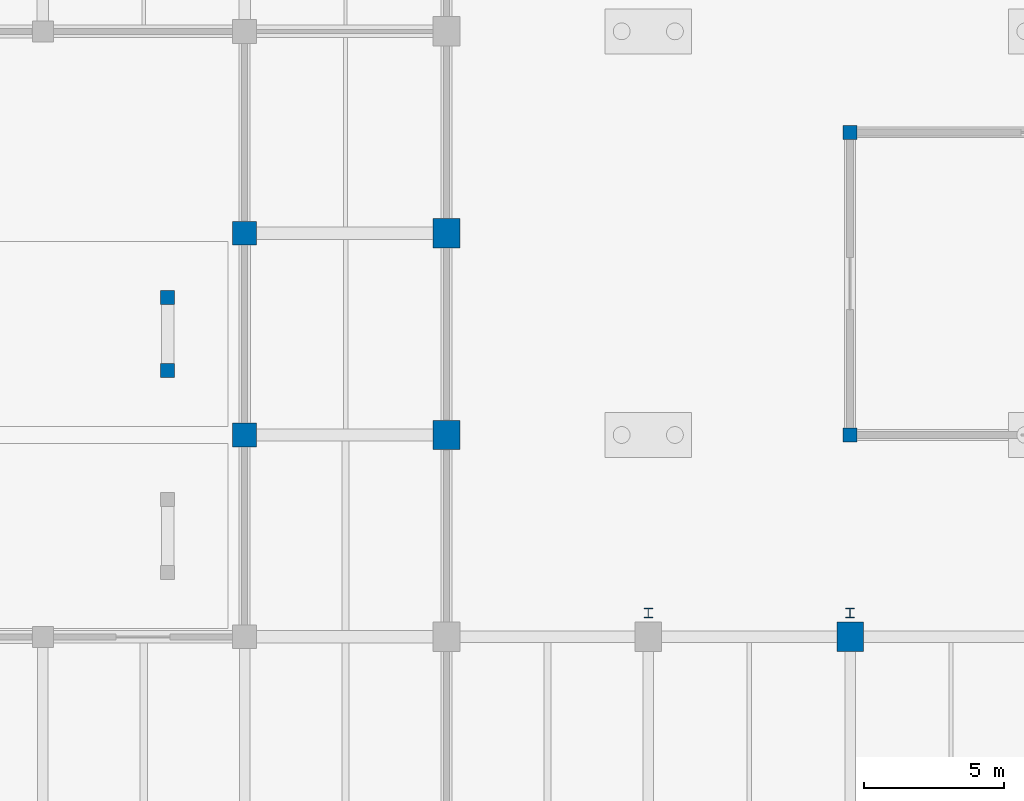
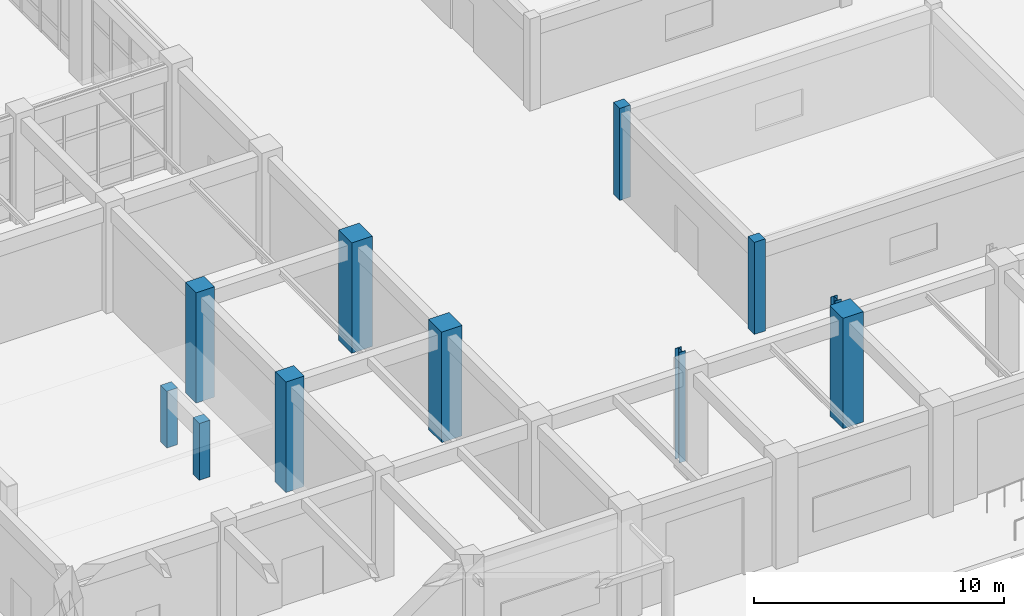
# One storey, part 4 of 160: 11 columns.
"""IFC4 building model written with IfcOpenShell, lengths in metres."""

from ifc_helpers import new_model, si_unit, direction, frame, origin, origin_2d, place, context, subcontext, project, spatial, rectangle, i_section, extrude, material, material_profile, profile_set, type_object, element, save


model = new_model("IFC4")

# Units and contexts
model_context = context("Model", 3, precision=1e-05, world=origin(), true_north=direction((0.0, 1.0)))
body_context = subcontext(model_context, "Body", "Model", "MODEL_VIEW")
ifc_project = project(units=[si_unit("LENGTHUNIT", "METRE"), si_unit("AREAUNIT", "SQUARE_METRE"), si_unit("VOLUMEUNIT", "CUBIC_METRE"), si_unit("PLANEANGLEUNIT", "RADIAN"), si_unit("MASSUNIT", "GRAM", prefix="KILO")], contexts=[model_context])

# Site, building, storey
site_placement = place(None, origin())
site = spatial("IfcSite", under=ifc_project, at=site_placement, CompositionType="ELEMENT")
building_placement = place(site_placement, origin())
building = spatial("IfcBuilding", under=site, at=building_placement, Name="Thalmaran Polytechnic", CompositionType="ELEMENT")
storey_placement = place(building_placement, origin())
storey = spatial("IfcBuildingStorey", under=building, at=storey_placement, Name="L00", CompositionType="ELEMENT", Elevation=0.0)

# Columns
ifc_material_1 = material(Name="Concrete C50/60", Category="concrete")
ifc_material_profile_1 = material_profile(ifc_material_1, rectangle(XDim=0.85009765625, YDim=0.85009765625, at=origin_2d()), Name="RC 850x850")
ifc_profile_set_1 = profile_set([ifc_material_profile_1], Name="Concrete C50/60")
column_type_1 = type_object("IfcColumnType", Name="COL-C02", PredefinedType="COLUMN", material=ifc_profile_set_1)
for number, where, z_axis, x_axis, name in (
    (1, (100.800048828125, 14.39990234375, 0.0), (0.0, 0.0, 1.0), (1.0, 0.0, 0.0), "Column C02 L00 (14,2)"),
    (2, (100.800048828125, 21.60009765625, 0.0), (0.0, 0.0, 1.0), (1.0, 0.0, 0.0), "Column C02 L00 (14,3)"),
):
    element("IfcColumn", number, at=place(storey_placement, frame(where, z_axis=z_axis, x_axis=x_axis)), inside=storey, type_object=column_type_1, Name=name, PredefinedType="COLUMN", context=body_context, shape_type="SweptSolid", body=[
        extrude(rectangle(XDim=0.85009765625, YDim=0.85009765625, at=origin_2d()), origin(), (0.0, 0.0, 1.0), 5.39990234375),
    ])
ifc_material_2 = material(Name="Concrete C40/50", Category="concrete")
ifc_material_profile_2 = material_profile(ifc_material_2, rectangle(XDim=0.5, YDim=0.5, at=origin_2d()), Name="RC 500x500")
ifc_profile_set_2 = profile_set([ifc_material_profile_2], Name="Concrete C40/50")
column_type_2 = type_object("IfcColumnType", Name="COL-C09", PredefinedType="COLUMN", material=ifc_profile_set_2)
for number, where, z_axis, x_axis, name in (
    (3, (98.050048828125, 16.699951171875, 0.0), (0.0, 0.0, 1.0), (1.0, 0.0, 0.0), "Lecture Under-Tier Pier 2-2"),
    (4, (98.050048828125, 19.300048828125, 0.0), (0.0, 0.0, 1.0), (1.0, 0.0, 0.0), "Lecture Under-Tier Pier 2-2"),
):
    element("IfcColumn", number, at=place(storey_placement, frame(where, z_axis=z_axis, x_axis=x_axis)), inside=storey, type_object=column_type_2, Name=name, PredefinedType="COLUMN", context=body_context, shape_type="SweptSolid", body=[
        extrude(rectangle(XDim=0.5, YDim=0.5, at=origin_2d()), origin(), (0.0, 0.0, 1.0), 2.77001953125),
    ])
for number, where, z_axis, x_axis, name in (
    (5, (122.39990234375, 14.39990234375, 0.0), (0.0, 0.0, 1.0), (1.0, 0.0, 0.0), "POD1 Frame Column L00"),
    (6, (122.39990234375, 25.199951171875, 0.0), (0.0, 0.0, 1.0), (1.0, 0.0, 0.0), "POD1 Frame Column L00"),
):
    element("IfcColumn", number, at=place(storey_placement, frame(where, z_axis=z_axis, x_axis=x_axis)), inside=storey, type_object=column_type_2, Name=name, PredefinedType="COLUMN", context=body_context, shape_type="SweptSolid", body=[
        extrude(rectangle(XDim=0.5, YDim=0.5, at=origin_2d()), origin(), (0.0, 0.0, 1.0), 4.5),
    ])
ifc_material_3 = material(Name="Steel S355", Category="steel")
ifc_material_profile_3 = material_profile(ifc_material_3, i_section(OverallWidth=0.300048828125, OverallDepth=0.340087890625, WebThickness=0.011962890625, FlangeThickness=0.021484375, at=origin_2d()), Name="HEB 340")
ifc_profile_set_3 = profile_set([ifc_material_profile_3], Name="Steel S355")
column_type_3 = type_object("IfcColumnType", Name="COL-SC1", PredefinedType="COLUMN", material=ifc_profile_set_3)
for number, where, z_axis, x_axis, name in (
    (7, (115.199951171875, 8.050048828125, 0.0), (0.0, 0.0, 1.0), (1.0, 0.0, 0.0), "Workshop Crane Runway Column L00 (16,1)"),
    (8, (122.39990234375, 8.050048828125, 0.0), (0.0, 0.0, 1.0), (1.0, 0.0, 0.0), "Workshop Crane Runway Column L00 (17,1)"),
):
    element("IfcColumn", number, at=place(storey_placement, frame(where, z_axis=z_axis, x_axis=x_axis)), inside=storey, type_object=column_type_3, Name=name, PredefinedType="COLUMN", context=body_context, shape_type="SweptSolid", body=[
        extrude(i_section(OverallWidth=0.300048828125, OverallDepth=0.340087890625, WebThickness=0.011962890625, FlangeThickness=0.021484375, at=origin_2d()), origin(), (0.0, 0.0, 1.0), 5.39990234375),
    ])
ifc_material_profile_4 = material_profile(ifc_material_1, rectangle(XDim=0.949951171875, YDim=1.050048828125, at=origin_2d()), Name="RC 950x1050")
ifc_profile_set_4 = profile_set([ifc_material_profile_4], Name="Concrete C50/60")
column_type_4 = type_object("IfcColumnType", Name="COL-WP2", PredefinedType="COLUMN", material=ifc_profile_set_4)
for number, where, z_axis, x_axis, name in (
    (9, (108.0, 14.39990234375, 0.0), (0.0, 0.0, 1.0), (1.0, 0.0, 0.0), "Column WP2 L00 (15,2)"),
    (10, (108.0, 21.60009765625, 0.0), (0.0, 0.0, 1.0), (1.0, 0.0, 0.0), "Column WP2 L00 (15,3)"),
    (11, (122.39990234375, 7.199951171875, 0.0), (0.0, 0.0, 1.0), (1.0, 0.0, 0.0), "Column WP2 L00 (17,1)"),
):
    element("IfcColumn", number, at=place(storey_placement, frame(where, z_axis=z_axis, x_axis=x_axis)), inside=storey, type_object=column_type_4, Name=name, PredefinedType="COLUMN", context=body_context, shape_type="SweptSolid", body=[
        extrude(rectangle(XDim=0.949951171875, YDim=1.050048828125, at=origin_2d()), origin(), (0.0, 0.0, 1.0), 5.39990234375),
    ])

save(model, "model.ifc")
